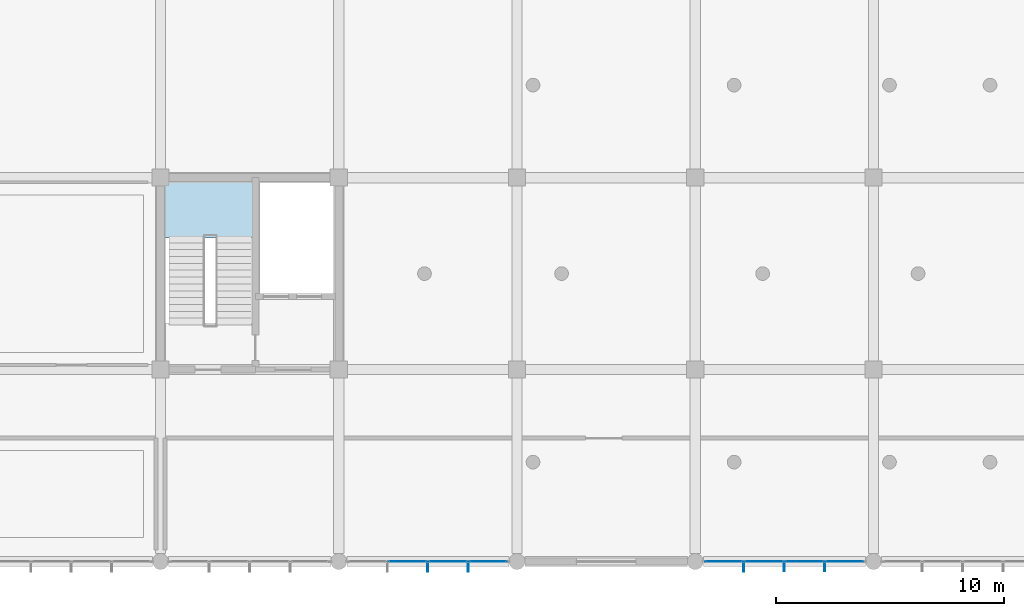
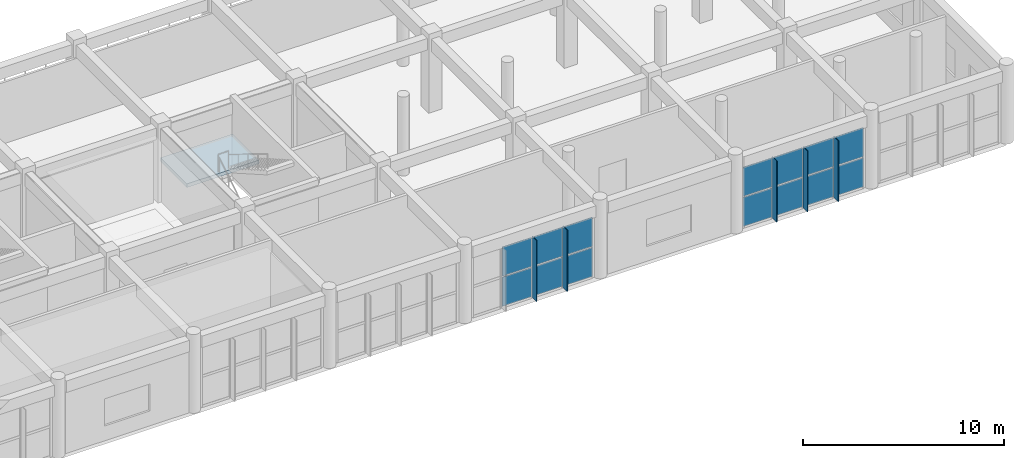
# One storey, part 131 of 167: 19 plates, 1 slab, 3 elements without a shape of their own.
"""IFC4 building model written with IfcOpenShell, lengths in metres."""

import ifcopenshell
import ifcopenshell.guid

model = None  # the IFC model being written
_history = None  # IfcOwnerHistory: only IFC2X3 demands one
_inside = {}  # id of a spatial element -> (the spatial element, [elements in it])
_under = {}  # id of a project, library or spatial element -> (it, [spatial elements below it])
_declared = {}  # id of a project -> (the project, [libraries it declares])
_typed = {}  # id of a type object -> (the type object, [elements of that type])
_made_of = {}  # id of a material, layer set ... -> (it, [elements and type objects made of it])


def new_model(schema):
    """Start an empty IFC model of exactly this schema.

    Asked for "IFC4X3", IfcOpenShell would pick the latest addendum, in which some entities
    have other attributes; the version numbers below select the first issue.
    IFC2X3 requires an IfcOwnerHistory on every rooted entity: one is made here for all.
    """
    global model, _history
    if schema == "IFC4X3":
        model = ifcopenshell.file(schema_version=(4, 3, 0, 0))
    else:
        model = ifcopenshell.file(schema=schema)
    _inside.clear()
    _under.clear()
    _declared.clear()
    _typed.clear()
    _made_of.clear()
    _history = None
    if model.schema == "IFC2X3":
        org = make("IfcOrganization", Name="unknown")
        user = make(
            "IfcPersonAndOrganization",
            ThePerson=make("IfcPerson", FamilyName="unknown"),
            TheOrganization=org,
        )
        app = make(
            "IfcApplication",
            ApplicationDeveloper=org,
            Version="unknown",
            ApplicationFullName="unknown",
            ApplicationIdentifier="unknown",
        )
        _history = make(
            "IfcOwnerHistory",
            OwningUser=user,
            OwningApplication=app,
            ChangeAction="ADDED",
            CreationDate=0,
        )
    return model


def make(cls, **values):
    """One entity of the class cls with the attributes given. An attribute that is None is left unset."""
    return model.create_entity(
        cls, **{name: value for name, value in values.items() if value is not None}
    )


def rooted(cls, **values):
    """An entity with a GlobalId (a new one), such as an element, a storey or a relation."""
    return make(cls, GlobalId=ifcopenshell.guid.new(), OwnerHistory=_history, **values)


def si_unit(unit_type, name, prefix=None):
    """IfcSIUnit, for example si_unit("LENGTHUNIT", "METRE", prefix="MILLI")."""
    return make("IfcSIUnit", UnitType=unit_type, Prefix=prefix, Name=name)


def assignment(units):
    """IfcUnitAssignment: the units of a project."""
    return None if units is None else make("IfcUnitAssignment", Units=units)


def point(xyz):
    """IfcCartesianPoint."""
    return None if xyz is None else make("IfcCartesianPoint", Coordinates=xyz)


def direction(xyz):
    """IfcDirection."""
    return None if xyz is None else make("IfcDirection", DirectionRatios=xyz)


def frame(location, z_axis=None, x_axis=None):
    """IfcAxis2Placement3D, a coordinate frame: its origin and axes. An axis left out is left unset."""
    return make(
        "IfcAxis2Placement3D",
        Location=point(location),
        Axis=direction(z_axis),
        RefDirection=direction(x_axis),
    )


def frame_2d(location, x_axis=None):
    """IfcAxis2Placement2D, a coordinate frame in the plane: its origin and x axis."""
    return make(
        "IfcAxis2Placement2D", Location=point(location), RefDirection=direction(x_axis)
    )


def origin():
    """The frame at (0, 0, 0) with its axes left unset."""
    return frame((0.0, 0.0, 0.0))


def origin_2d():
    """The frame at (0, 0) in the plane with its x axis left unset."""
    return frame_2d((0.0, 0.0))


def place(relative_to, where):
    """IfcLocalPlacement: puts the frame where relative to a parent placement (None: the world)."""
    return make(
        "IfcLocalPlacement", PlacementRelTo=relative_to, RelativePlacement=where
    )


def context(
    kind, dimensions, precision=None, world=None, true_north=None, identifier=None
):
    """IfcGeometricRepresentationContext, for example the 3D "Model" context."""
    return make(
        "IfcGeometricRepresentationContext",
        ContextIdentifier=identifier,
        ContextType=kind,
        CoordinateSpaceDimension=dimensions,
        Precision=precision,
        WorldCoordinateSystem=world,
        TrueNorth=true_north,
    )


def subcontext(parent, identifier, kind, view, scale=None):
    """IfcGeometricRepresentationSubContext, for example "Body" below "Model"."""
    return make(
        "IfcGeometricRepresentationSubContext",
        ContextIdentifier=identifier,
        ContextType=kind,
        ParentContext=parent,
        TargetScale=scale,
        TargetView=view,
    )


def project(units=None, contexts=None):
    """IfcProject with its units and contexts."""
    return rooted(
        "IfcProject",
        Name="project",
        RepresentationContexts=contexts,
        UnitsInContext=assignment(units),
    )


def spatial(cls, under=None, at=None, **own):
    """A site, building, storey or space (cls), placed at a placement, below another one or the project."""
    s = rooted(cls, ObjectPlacement=at, **own)
    if under is not None:
        _under.setdefault(under.id(), (under, []))[1].append(s)
    return s


def polyline(points):
    """IfcPolyline through the points."""
    return make("IfcPolyline", Points=[point(p) for p in points])


def profile(cls, at=None, kind="AREA", **sizes):
    """A parametric profile (cls). Its sizes go by their IFC names, for example OverallWidth=200.0."""
    return make(cls, ProfileType=kind, Position=at, **sizes)


def rectangle(**sizes):
    """IfcRectangleProfileDef."""
    return profile("IfcRectangleProfileDef", **sizes)


def outline(outer, holes=None, kind="AREA"):
    """IfcArbitraryClosedProfileDef: a profile drawn as a closed curve; with holes, ...WithVoids."""
    if holes is None:
        return make("IfcArbitraryClosedProfileDef", ProfileType=kind, OuterCurve=outer)
    return make(
        "IfcArbitraryProfileDefWithVoids",
        ProfileType=kind,
        OuterCurve=outer,
        InnerCurves=holes,
    )


def extrude(swept, where, along, depth):
    """IfcExtrudedAreaSolid: the profile swept, set in the frame where, extruded along a direction by depth."""
    return make(
        "IfcExtrudedAreaSolid",
        SweptArea=swept,
        Position=where,
        ExtrudedDirection=direction(along),
        Depth=depth,
    )


def shape(context_of_items, identifier, shape_type, items):
    """IfcShapeRepresentation: the items that make up one representation, for example the "Body"."""
    return make(
        "IfcShapeRepresentation",
        ContextOfItems=context_of_items,
        RepresentationIdentifier=identifier,
        RepresentationType=shape_type,
        Items=items,
    )


def material(Name=None, Category=None):
    """IfcMaterial."""
    return make("IfcMaterial", Name=Name, Category=Category)


def layer(
    of_material, thickness, ventilated=None, Name=None, Category=None, Priority=None
):
    """IfcMaterialLayer: one layer of a wall or slab, of a material (None: an air gap)."""
    return make(
        "IfcMaterialLayer",
        Material=of_material,
        LayerThickness=thickness,
        IsVentilated=ventilated,
        Name=Name,
        Category=Category,
        Priority=Priority,
    )


def layer_set(layers, Name=None):
    """IfcMaterialLayerSet."""
    return make("IfcMaterialLayerSet", MaterialLayers=layers, LayerSetName=Name)


def made_of(thing, what):
    """Note that an element or type object is made of a material, layer set ...; save() writes the relation."""
    if what is not None:
        _made_of.setdefault(what.id(), (what, []))[1].append(thing)
    return thing


def type_object(cls, material=None, **own):
    """A type object (cls), such as IfcWallType, which elements share."""
    return made_of(rooted(cls, **own), material)


def element(
    cls,
    number,
    at=None,
    inside=None,
    cuts=None,
    type_object=None,
    material=None,
    context=None,
    identifier="Body",
    shape_type=None,
    held_by="IfcProductDefinitionShape",
    body=None,
    shapes=None,
    **own,
):
    """One element of the class cls, such as IfcWall. Its Tag is "e" and its number.

    at: its placement. inside: the storey or other place that contains it. cuts: it is an
    opening in that element (IfcRelVoidsElement). A single representation is given by context,
    identifier, shape_type and body (its items); several are given by shapes. held_by: the class
    of the entity that holds the representations. save() writes the other relations.
    """
    e = rooted(cls, Tag="e%d" % number, ObjectPlacement=at, **own)
    if body is not None:
        shapes = [shape(context, identifier, shape_type, body)]
    if shapes is not None:
        e.Representation = make(held_by, Representations=shapes)
    if inside is not None:
        _inside.setdefault(inside.id(), (inside, []))[1].append(e)
    if cuts is not None:
        rooted(
            "IfcRelVoidsElement", RelatingBuildingElement=cuts, RelatedOpeningElement=e
        )
    if type_object is not None:
        _typed.setdefault(type_object.id(), (type_object, []))[1].append(e)
    return made_of(e, material)


def aggregate(whole, parts):
    """IfcRelAggregates: a whole, such as a stair, and the parts it consists of."""
    return rooted("IfcRelAggregates", RelatingObject=whole, RelatedObjects=parts)


def save(model, path):
    """Write the relations noted so far, then the file.

    IfcRelAggregates (storeys below a building ...), IfcRelContainedInSpatialStructure (elements
    in a storey), IfcRelDefinesByType, IfcRelAssociatesMaterial and IfcRelDeclares: one each for
    every whole, place, type object, material and project.
    """
    for whole, parts in _under.values():
        aggregate(whole, parts)
    for where, things in _inside.values():
        rooted(
            "IfcRelContainedInSpatialStructure",
            RelatedElements=things,
            RelatingStructure=where,
        )
    for kind, things in _typed.values():
        rooted("IfcRelDefinesByType", RelatedObjects=things, RelatingType=kind)
    for what, things in _made_of.values():
        rooted("IfcRelAssociatesMaterial", RelatedObjects=things, RelatingMaterial=what)
    for by, libraries in _declared.values():
        rooted("IfcRelDeclares", RelatingContext=by, RelatedDefinitions=libraries)
    model.write(path)


model = new_model("IFC4")

# Units and contexts
model_context = context("Model", 3, precision=1e-05, world=origin(), true_north=direction((0.0, 1.0)))
body_context = subcontext(model_context, "Body", "Model", "MODEL_VIEW")
ifc_project = project(units=[si_unit("LENGTHUNIT", "METRE"), si_unit("AREAUNIT", "SQUARE_METRE"), si_unit("VOLUMEUNIT", "CUBIC_METRE"), si_unit("PLANEANGLEUNIT", "RADIAN"), si_unit("MASSUNIT", "GRAM", prefix="KILO")], contexts=[model_context])

# Site, building, storey
site_placement = place(None, origin())
site = spatial("IfcSite", under=ifc_project, at=site_placement, CompositionType="ELEMENT")
building_placement = place(site_placement, origin())
building = spatial("IfcBuilding", under=site, at=building_placement, Name="Zizhar Promenade General Hospital", CompositionType="ELEMENT")
storey_placement = place(building_placement, frame((0.0, 0.0, 9.60009765625)))
storey = spatial("IfcBuildingStorey", under=building, at=storey_placement, Name="L02", CompositionType="ELEMENT", Elevation=9.60009765625)

# Curtain wall, plates
ifc_material_1 = material(Name="Anodised aluminium 6063-T6 and low-E glass", Category="aluminium")
ifc_layer_1 = layer(ifc_material_1, 0.159912109375)
ifc_layer_set_1 = layer_set([ifc_layer_1], Name="Anodised aluminium 6063-T6 and low-E glass")
curtain_wall_type = type_object("IfcCurtainWallType", Name="CW-DT-MOD1", PredefinedType="NOTDEFINED", material=ifc_layer_set_1)
curtain_wall_1_placement = place(storey_placement, origin())
curtain_wall_1 = element("IfcCurtainWall", 1, at=curtain_wall_1_placement, inside=storey, type_object=curtain_wall_type, Name="Riverfront Clinical Curtain Wall L02-12", PredefinedType="NOTDEFINED")
ifc_material_2 = material(Name="Low-E solar-control glass", Category="glass")
ifc_layer_2 = layer(ifc_material_2, 0.031982421875)
ifc_layer_set_2 = layer_set([ifc_layer_2], Name="Low-E solar-control glass")
plate_type_1 = type_object("IfcPlateType", Name="CWP-GLZ-32", PredefinedType="CURTAIN_PANEL", material=ifc_layer_set_2)
plate_1_placement = place(storey_placement, frame((107.93505859375, 0.0, 0.06005859375), z_axis=(0.0, 0.0, 1.0), x_axis=(-1.0, 0.0, 0.0)))
plate_1 = element("IfcPlate", 2, at=plate_1_placement, type_object=plate_type_1, Name="CW-07 panel 1.1", PredefinedType="CURTAIN_PANEL", context=body_context, shape_type="SweptSolid", body=[
    extrude(rectangle(XDim=1.64990234375, YDim=0.031982421875, at=origin_2d()), origin(), (0.0, 0.0, 1.0), 1.77490234375),
])
plate_2_placement = place(storey_placement, frame((107.93505859375, 0.0, 1.89501953125), z_axis=(0.0, 0.0, 1.0), x_axis=(-1.0, 0.0, 0.0)))
plate_2 = element("IfcPlate", 3, at=plate_2_placement, type_object=plate_type_1, Name="CW-07 panel 1.2", PredefinedType="CURTAIN_PANEL", context=body_context, shape_type="SweptSolid", body=[
    extrude(rectangle(XDim=1.64990234375, YDim=0.031982421875, at=origin_2d()), origin(), (0.0, 0.0, 1.0), 1.77490234375),
])
plate_3_placement = place(storey_placement, frame((106.18505859375, 0.0, 0.06005859375), z_axis=(0.0, 0.0, 1.0), x_axis=(-1.0, 0.0, 0.0)))
plate_3 = element("IfcPlate", 4, at=plate_3_placement, type_object=plate_type_1, Name="CW-07 panel 2.1", PredefinedType="CURTAIN_PANEL", context=body_context, shape_type="SweptSolid", body=[
    extrude(rectangle(XDim=1.68994140625, YDim=0.031982421875, at=origin_2d()), origin(), (0.0, 0.0, 1.0), 1.77490234375),
])
plate_4_placement = place(storey_placement, frame((106.18505859375, 0.0, 1.89501953125), z_axis=(0.0, 0.0, 1.0), x_axis=(-1.0, 0.0, 0.0)))
plate_4 = element("IfcPlate", 5, at=plate_4_placement, type_object=plate_type_1, Name="CW-07 panel 2.2", PredefinedType="CURTAIN_PANEL", context=body_context, shape_type="SweptSolid", body=[
    extrude(rectangle(XDim=1.68994140625, YDim=0.031982421875, at=origin_2d()), origin(), (0.0, 0.0, 1.0), 1.77490234375),
])
plate_5_placement = place(storey_placement, frame((104.4150390625, 0.0, 0.06005859375), z_axis=(0.0, 0.0, 1.0), x_axis=(-1.0, 0.0, 0.0)))
plate_5 = element("IfcPlate", 6, at=plate_5_placement, type_object=plate_type_1, Name="CW-07 panel 3.1", PredefinedType="CURTAIN_PANEL", context=body_context, shape_type="SweptSolid", body=[
    extrude(rectangle(XDim=1.68994140625, YDim=0.031982421875, at=origin_2d()), origin(), (0.0, 0.0, 1.0), 1.77490234375),
])
plate_6_placement = place(storey_placement, frame((104.4150390625, 0.0, 1.89501953125), z_axis=(0.0, 0.0, 1.0), x_axis=(-1.0, 0.0, 0.0)))
plate_6 = element("IfcPlate", 7, at=plate_6_placement, type_object=plate_type_1, Name="CW-07 panel 3.2", PredefinedType="CURTAIN_PANEL", context=body_context, shape_type="SweptSolid", body=[
    extrude(rectangle(XDim=1.68994140625, YDim=0.031982421875, at=origin_2d()), origin(), (0.0, 0.0, 1.0), 1.77490234375),
])
aggregate(curtain_wall_1, [plate_1, plate_2, plate_3, plate_4, plate_5, plate_6])

curtain_wall_2_placement = place(storey_placement, origin())
curtain_wall_2 = element("IfcCurtainWall", 8, at=curtain_wall_2_placement, inside=storey, type_object=curtain_wall_type, Name="Riverfront Clinical Curtain Wall L02-14", PredefinedType="NOTDEFINED")
plate_7_placement = place(storey_placement, frame((123.534912109375, 0.0, 0.06005859375), z_axis=(0.0, 0.0, 1.0), x_axis=(-1.0, 0.0, 0.0)))
plate_7 = element("IfcPlate", 9, at=plate_7_placement, type_object=plate_type_1, Name="CW-07 panel 1.1", PredefinedType="CURTAIN_PANEL", context=body_context, shape_type="SweptSolid", body=[
    extrude(rectangle(XDim=1.64990234375, YDim=0.031982421875, at=origin_2d()), origin(), (0.0, 0.0, 1.0), 1.77490234375),
])
plate_8_placement = place(storey_placement, frame((123.534912109375, 0.0, 1.89501953125), z_axis=(0.0, 0.0, 1.0), x_axis=(-1.0, 0.0, 0.0)))
plate_8 = element("IfcPlate", 10, at=plate_8_placement, type_object=plate_type_1, Name="CW-07 panel 1.2", PredefinedType="CURTAIN_PANEL", context=body_context, shape_type="SweptSolid", body=[
    extrude(rectangle(XDim=1.64990234375, YDim=0.031982421875, at=origin_2d()), origin(), (0.0, 0.0, 1.0), 1.77490234375),
])
plate_9_placement = place(storey_placement, frame((121.784912109375, 0.0, 0.06005859375), z_axis=(0.0, 0.0, 1.0), x_axis=(-1.0, 0.0, 0.0)))
plate_9 = element("IfcPlate", 11, at=plate_9_placement, type_object=plate_type_1, Name="CW-07 panel 2.1", PredefinedType="CURTAIN_PANEL", context=body_context, shape_type="SweptSolid", body=[
    extrude(rectangle(XDim=1.68994140625, YDim=0.031982421875, at=origin_2d()), origin(), (0.0, 0.0, 1.0), 1.77490234375),
])
plate_10_placement = place(storey_placement, frame((121.784912109375, 0.0, 1.89501953125), z_axis=(0.0, 0.0, 1.0), x_axis=(-1.0, 0.0, 0.0)))
plate_10 = element("IfcPlate", 12, at=plate_10_placement, type_object=plate_type_1, Name="CW-07 panel 2.2", PredefinedType="CURTAIN_PANEL", context=body_context, shape_type="SweptSolid", body=[
    extrude(rectangle(XDim=1.68994140625, YDim=0.031982421875, at=origin_2d()), origin(), (0.0, 0.0, 1.0), 1.77490234375),
])
plate_11_placement = place(storey_placement, frame((120.014892578125, 0.0, 0.06005859375), z_axis=(0.0, 0.0, 1.0), x_axis=(-1.0, 0.0, 0.0)))
plate_11 = element("IfcPlate", 13, at=plate_11_placement, type_object=plate_type_1, Name="CW-07 panel 3.1", PredefinedType="CURTAIN_PANEL", context=body_context, shape_type="SweptSolid", body=[
    extrude(rectangle(XDim=1.68994140625, YDim=0.031982421875, at=origin_2d()), origin(), (0.0, 0.0, 1.0), 1.77490234375),
])
plate_12_placement = place(storey_placement, frame((120.014892578125, 0.0, 1.89501953125), z_axis=(0.0, 0.0, 1.0), x_axis=(-1.0, 0.0, 0.0)))
plate_12 = element("IfcPlate", 14, at=plate_12_placement, type_object=plate_type_1, Name="CW-07 panel 3.2", PredefinedType="CURTAIN_PANEL", context=body_context, shape_type="SweptSolid", body=[
    extrude(rectangle(XDim=1.68994140625, YDim=0.031982421875, at=origin_2d()), origin(), (0.0, 0.0, 1.0), 1.77490234375),
])
plate_13_placement = place(storey_placement, frame((118.264892578125, 0.0, 0.06005859375), z_axis=(0.0, 0.0, 1.0), x_axis=(-1.0, 0.0, 0.0)))
plate_13 = element("IfcPlate", 15, at=plate_13_placement, type_object=plate_type_1, Name="CW-07 panel 4.1", PredefinedType="CURTAIN_PANEL", context=body_context, shape_type="SweptSolid", body=[
    extrude(rectangle(XDim=1.64990234375, YDim=0.031982421875, at=origin_2d()), origin(), (0.0, 0.0, 1.0), 1.77490234375),
])
plate_14_placement = place(storey_placement, frame((118.264892578125, 0.0, 1.89501953125), z_axis=(0.0, 0.0, 1.0), x_axis=(-1.0, 0.0, 0.0)))
plate_14 = element("IfcPlate", 16, at=plate_14_placement, type_object=plate_type_1, Name="CW-07 panel 4.2", PredefinedType="CURTAIN_PANEL", context=body_context, shape_type="SweptSolid", body=[
    extrude(rectangle(XDim=1.64990234375, YDim=0.031982421875, at=origin_2d()), origin(), (0.0, 0.0, 1.0), 1.77490234375),
])
aggregate(curtain_wall_2, [plate_7, plate_8, plate_9, plate_10, plate_11, plate_12, plate_13, plate_14])

# Plates
ifc_material_3 = material(Name="Anodised aluminium 6063-T6", Category="aluminium")
ifc_layer_3 = layer(ifc_material_3, 0.0400390625)
ifc_layer_set_3 = layer_set([ifc_layer_3], Name="Anodised aluminium 6063-T6")
plate_type_2 = type_object("IfcPlateType", Name="FIN-ALU-450", PredefinedType="USERDEFINED", material=ifc_layer_set_3)
plate_15_placement = place(storey_placement, origin())
element("IfcPlate", 17, at=plate_15_placement, inside=storey, type_object=plate_type_2, Name="Riverfront Clinical Curtain Wall L02-12 Solar Fin 1", ObjectType="SOLAR_SHADE", PredefinedType="USERDEFINED", context=body_context, shape_type="SweptSolid", body=[
    extrude(outline(polyline([(107.090087890625, 0.0), (107.050048828125, 0.0), (107.050048828125, -0.449951171875), (107.090087890625, -0.449951171875), (107.090087890625, 0.0)])), origin(), (0.0, 0.0, 1.0), 3.72998046875),
])
plate_16_placement = place(storey_placement, origin())
element("IfcPlate", 18, at=plate_16_placement, inside=storey, type_object=plate_type_2, Name="Riverfront Clinical Curtain Wall L02-12 Solar Fin 2", ObjectType="SOLAR_SHADE", PredefinedType="USERDEFINED", context=body_context, shape_type="SweptSolid", body=[
    extrude(outline(polyline([(105.320068359375, 0.0), (105.280029296875, 0.0), (105.280029296875, -0.449951171875), (105.320068359375, -0.449951171875), (105.320068359375, 0.0)])), origin(), (0.0, 0.0, 1.0), 3.72998046875),
])
plate_17_placement = place(storey_placement, origin())
element("IfcPlate", 19, at=plate_17_placement, inside=storey, type_object=plate_type_2, Name="Riverfront Clinical Curtain Wall L02-14 Solar Fin 1", ObjectType="SOLAR_SHADE", PredefinedType="USERDEFINED", context=body_context, shape_type="SweptSolid", body=[
    extrude(outline(polyline([(122.68994140625, 0.0), (122.64990234375, 0.0), (122.64990234375, -0.449951171875), (122.68994140625, -0.449951171875), (122.68994140625, 0.0)])), origin(), (0.0, 0.0, 1.0), 3.72998046875),
])
plate_18_placement = place(storey_placement, origin())
element("IfcPlate", 20, at=plate_18_placement, inside=storey, type_object=plate_type_2, Name="Riverfront Clinical Curtain Wall L02-14 Solar Fin 2", ObjectType="SOLAR_SHADE", PredefinedType="USERDEFINED", context=body_context, shape_type="SweptSolid", body=[
    extrude(outline(polyline([(120.919921875, 0.0), (120.8798828125, 0.0), (120.8798828125, -0.449951171875), (120.919921875, -0.449951171875), (120.919921875, 0.0)])), origin(), (0.0, 0.0, 1.0), 3.72998046875),
])
plate_19_placement = place(storey_placement, origin())
element("IfcPlate", 21, at=plate_19_placement, inside=storey, type_object=plate_type_2, Name="Riverfront Clinical Curtain Wall L02-14 Solar Fin 3", ObjectType="SOLAR_SHADE", PredefinedType="USERDEFINED", context=body_context, shape_type="SweptSolid", body=[
    extrude(outline(polyline([(119.14990234375, 0.0), (119.110107421875, 0.0), (119.110107421875, -0.449951171875), (119.14990234375, -0.449951171875), (119.14990234375, 0.0)])), origin(), (0.0, 0.0, 1.0), 3.72998046875),
])

# Stair, slab
ifc_material_4 = material(Name="Concrete C35/45", Category="concrete")
stair_type = type_object("IfcStairType", Name="STR-DOG-480", PredefinedType="HALF_TURN_STAIR", material=ifc_material_4)
stair_placement = place(storey_placement, origin())
stair = element("IfcStair", 22, at=stair_placement, inside=storey, type_object=stair_type, Name="Exit Stair ST-05 (L02 to L03)", PredefinedType="HALF_TURN_STAIR")
ifc_material_5 = material(Name="Concrete C35/45", Category="concrete")
ifc_layer_4 = layer(ifc_material_5, 0.219970703125)
ifc_layer_set_4 = layer_set([ifc_layer_4], Name="Concrete C35/45")
slab_type = type_object("IfcSlabType", Name="SLB-LAND-480", PredefinedType="LANDING", material=ifc_layer_set_4)
slab_placement = place(storey_placement, frame((0.0, 0.0, 2.179931640625)))
slab = element("IfcSlab", 23, at=slab_placement, type_object=slab_type, Name="ST-05A landing 1", PredefinedType="LANDING", context=body_context, shape_type="SweptSolid", body=[
    extrude(outline(polyline([(93.60009765625, 14.169921875), (97.75, 14.169921875), (97.75, 16.800048828125), (93.60009765625, 16.800048828125), (93.60009765625, 14.169921875)])), origin(), (0.0, 0.0, 1.0), 0.219970703125),
])
aggregate(stair, [slab])

save(model, "model.ifc")
